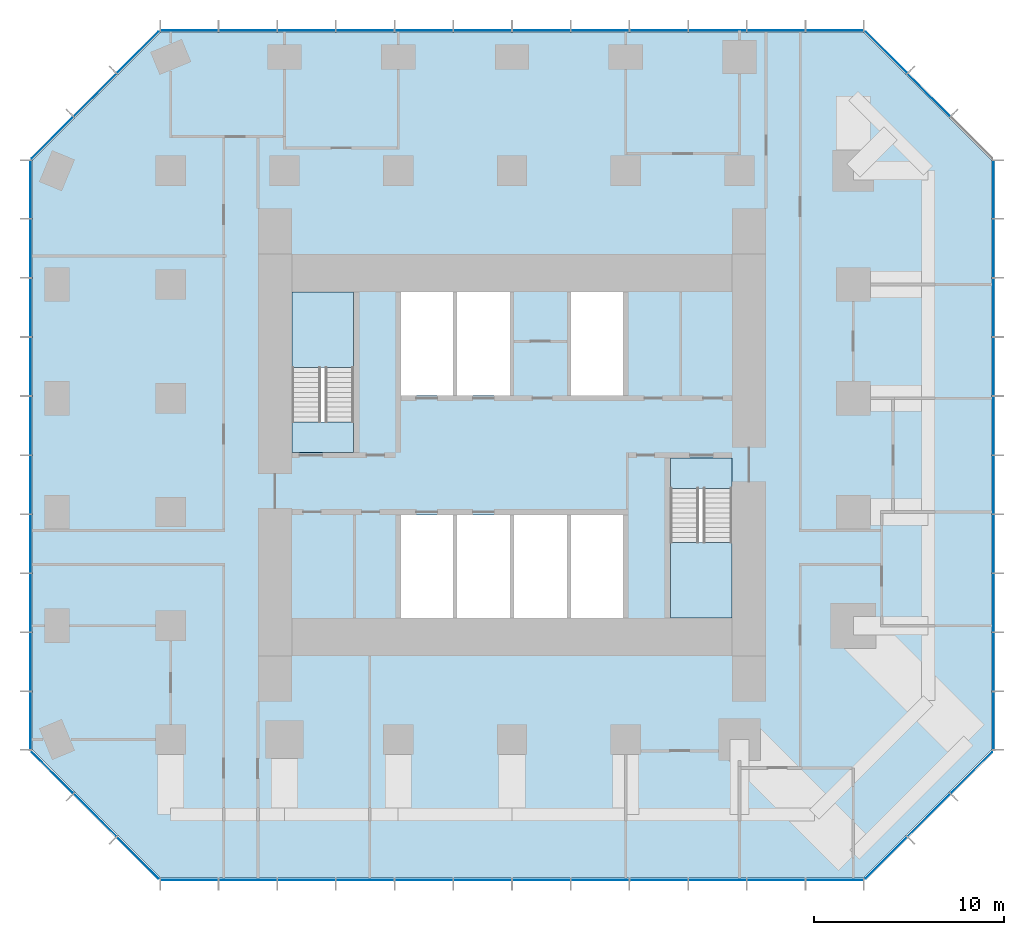
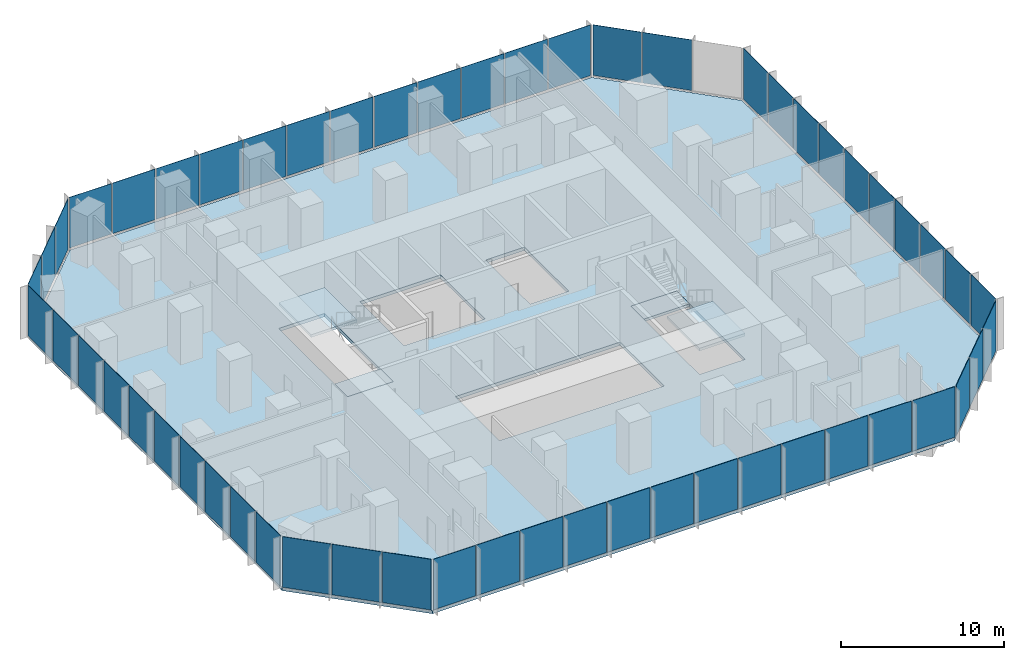
# One storey, part 7 of 11: 55 plates, 5 slabs, 10 elements without a shape of their own.
"""IFC4 building model written with IfcOpenShell, lengths in metres."""

from ifc_helpers import new_model, si_unit, direction, frame, origin, origin_2d, place, context, subcontext, project, spatial, polyline, rectangle, outline, extrude, material, layer, layer_set, type_object, element, aggregate, save


model = new_model("IFC4")

# Units and contexts
model_context = context("Model", 3, precision=1e-05, world=origin(), true_north=direction((0.0, 1.0)))
body_context = subcontext(model_context, "Body", "Model", "MODEL_VIEW")
ifc_project = project(units=[si_unit("LENGTHUNIT", "METRE"), si_unit("AREAUNIT", "SQUARE_METRE"), si_unit("VOLUMEUNIT", "CUBIC_METRE"), si_unit("PLANEANGLEUNIT", "RADIAN"), si_unit("MASSUNIT", "GRAM", prefix="KILO")], contexts=[model_context])

# Site, building, storey
site_placement = place(None, origin())
site = spatial("IfcSite", under=ifc_project, at=site_placement, CompositionType="ELEMENT")
building_placement = place(site_placement, origin())
building = spatial("IfcBuilding", under=site, at=building_placement, Name="Highveld Stack Headquarters", CompositionType="ELEMENT")
storey_placement = place(building_placement, frame((0.0, 0.0, 152.300048828125)))
storey = spatial("IfcBuildingStorey", under=building, at=storey_placement, Name="L37", CompositionType="ELEMENT", Elevation=152.300048828125)

# Curtain wall, plates
ifc_material_1 = material(Name="Aluminium bronze anodised", Category="aluminium")
ifc_layer_1 = layer(ifc_material_1, 0.199951171875)
ifc_layer_set_1 = layer_set([ifc_layer_1], Name="Aluminium bronze anodised")
curtain_wall_type_1 = type_object("IfcCurtainWallType", Name="CW1 TOWER UNITISED CURTAIN WALL", PredefinedType="NOTDEFINED", material=ifc_layer_set_1)
curtain_wall_1_placement = place(storey_placement, origin())
curtain_wall_1 = element("IfcCurtainWall", 1, at=curtain_wall_1_placement, inside=storey, type_object=curtain_wall_type_1, Name="Curtain wall CW1 L37 S", PredefinedType="NOTDEFINED")
ifc_material_2 = material(Name="Glass bronze tinted double glazed unit", Category="glass")
ifc_layer_2 = layer(ifc_material_2, 0.028076171875)
ifc_layer_set_2 = layer_set([ifc_layer_2], Name="Glass bronze tinted double glazed unit")
plate_type_1 = type_object("IfcPlateType", Name="CW1 PANEL BRONZE TINTED DOUBLE GLAZED UNIT", PredefinedType="CURTAIN_PANEL", material=ifc_layer_set_2)
plate_1_placement = place(storey_placement, frame((-11.015380859375, -19.39990234375, 0.10009765625), z_axis=(0.0, 0.0, 1.0), x_axis=(1.0, 0.0, 0.0)))
plate_1 = element("IfcPlate", 2, at=plate_1_placement, type_object=plate_type_1, Name="CW1 panel L37 1.1", PredefinedType="CURTAIN_PANEL", context=body_context, shape_type="SweptSolid", body=[
    extrude(rectangle(XDim=2.9990234375, YDim=0.028076171875, at=origin_2d()), origin(), (0.0, 0.0, 1.0), 3.800048828125),
])
plate_2_placement = place(storey_placement, frame((-7.934814453125, -19.39990234375, 0.10009765625), z_axis=(0.0, 0.0, 1.0), x_axis=(1.0, 0.0, 0.0)))
plate_2 = element("IfcPlate", 3, at=plate_2_placement, type_object=plate_type_1, Name="CW1 panel L37 2.1", PredefinedType="CURTAIN_PANEL", context=body_context, shape_type="SweptSolid", body=[
    extrude(rectangle(XDim=3.031494140625, YDim=0.028076171875, at=origin_2d()), origin(), (0.0, 0.0, 1.0), 3.800048828125),
])
plate_3_placement = place(storey_placement, frame((-4.83837890625, -19.39990234375, 0.10009765625), z_axis=(0.0, 0.0, 1.0), x_axis=(1.0, 0.0, 0.0)))
plate_3 = element("IfcPlate", 4, at=plate_3_placement, type_object=plate_type_1, Name="CW1 panel L37 3.1", PredefinedType="CURTAIN_PANEL", context=body_context, shape_type="SweptSolid", body=[
    extrude(rectangle(XDim=3.031494140625, YDim=0.028076171875, at=origin_2d()), origin(), (0.0, 0.0, 1.0), 3.800048828125),
])
plate_4_placement = place(storey_placement, frame((-1.74169921875, -19.39990234375, 0.10009765625), z_axis=(0.0, 0.0, 1.0), x_axis=(1.0, 0.0, 0.0)))
plate_4 = element("IfcPlate", 5, at=plate_4_placement, type_object=plate_type_1, Name="CW1 panel L37 4.1", PredefinedType="CURTAIN_PANEL", context=body_context, shape_type="SweptSolid", body=[
    extrude(rectangle(XDim=3.031494140625, YDim=0.028076171875, at=origin_2d()), origin(), (0.0, 0.0, 1.0), 3.800048828125),
])
plate_5_placement = place(storey_placement, frame((1.35498046875, -19.39990234375, 0.10009765625), z_axis=(0.0, 0.0, 1.0), x_axis=(1.0, 0.0, 0.0)))
plate_5 = element("IfcPlate", 6, at=plate_5_placement, type_object=plate_type_1, Name="CW1 panel L37 5.1", PredefinedType="CURTAIN_PANEL", context=body_context, shape_type="SweptSolid", body=[
    extrude(rectangle(XDim=3.031494140625, YDim=0.028076171875, at=origin_2d()), origin(), (0.0, 0.0, 1.0), 3.800048828125),
])
plate_6_placement = place(storey_placement, frame((4.45166015625, -19.39990234375, 0.10009765625), z_axis=(0.0, 0.0, 1.0), x_axis=(1.0, 0.0, 0.0)))
plate_6 = element("IfcPlate", 7, at=plate_6_placement, type_object=plate_type_1, Name="CW1 panel L37 6.1", PredefinedType="CURTAIN_PANEL", context=body_context, shape_type="SweptSolid", body=[
    extrude(rectangle(XDim=3.031494140625, YDim=0.028076171875, at=origin_2d()), origin(), (0.0, 0.0, 1.0), 3.800048828125),
])
plate_7_placement = place(storey_placement, frame((7.54833984375, -19.39990234375, 0.10009765625), z_axis=(0.0, 0.0, 1.0), x_axis=(1.0, 0.0, 0.0)))
plate_7 = element("IfcPlate", 8, at=plate_7_placement, type_object=plate_type_1, Name="CW1 panel L37 7.1", PredefinedType="CURTAIN_PANEL", context=body_context, shape_type="SweptSolid", body=[
    extrude(rectangle(XDim=3.03173828125, YDim=0.028076171875, at=origin_2d()), origin(), (0.0, 0.0, 1.0), 3.800048828125),
])
plate_8_placement = place(storey_placement, frame((10.64501953125, -19.39990234375, 0.10009765625), z_axis=(0.0, 0.0, 1.0), x_axis=(1.0, 0.0, 0.0)))
plate_8 = element("IfcPlate", 9, at=plate_8_placement, type_object=plate_type_1, Name="CW1 panel L37 8.1", PredefinedType="CURTAIN_PANEL", context=body_context, shape_type="SweptSolid", body=[
    extrude(rectangle(XDim=3.03173828125, YDim=0.028076171875, at=origin_2d()), origin(), (0.0, 0.0, 1.0), 3.800048828125),
])
plate_9_placement = place(storey_placement, frame((13.74169921875, -19.39990234375, 0.10009765625), z_axis=(0.0, 0.0, 1.0), x_axis=(1.0, 0.0, 0.0)))
plate_9 = element("IfcPlate", 10, at=plate_9_placement, type_object=plate_type_1, Name="CW1 panel L37 9.1", PredefinedType="CURTAIN_PANEL", context=body_context, shape_type="SweptSolid", body=[
    extrude(rectangle(XDim=3.03173828125, YDim=0.028076171875, at=origin_2d()), origin(), (0.0, 0.0, 1.0), 3.800048828125),
])
plate_10_placement = place(storey_placement, frame((16.83837890625, -19.39990234375, 0.10009765625), z_axis=(0.0, 0.0, 1.0), x_axis=(1.0, 0.0, 0.0)))
plate_10 = element("IfcPlate", 11, at=plate_10_placement, type_object=plate_type_1, Name="CW1 panel L37 10.1", PredefinedType="CURTAIN_PANEL", context=body_context, shape_type="SweptSolid", body=[
    extrude(rectangle(XDim=3.03173828125, YDim=0.028076171875, at=origin_2d()), origin(), (0.0, 0.0, 1.0), 3.800048828125),
])
plate_11_placement = place(storey_placement, frame((19.934814453125, -19.39990234375, 0.10009765625), z_axis=(0.0, 0.0, 1.0), x_axis=(1.0, 0.0, 0.0)))
plate_11 = element("IfcPlate", 12, at=plate_11_placement, type_object=plate_type_1, Name="CW1 panel L37 11.1", PredefinedType="CURTAIN_PANEL", context=body_context, shape_type="SweptSolid", body=[
    extrude(rectangle(XDim=3.03173828125, YDim=0.028076171875, at=origin_2d()), origin(), (0.0, 0.0, 1.0), 3.800048828125),
])
plate_12_placement = place(storey_placement, frame((23.015380859375, -19.39990234375, 0.10009765625), z_axis=(0.0, 0.0, 1.0), x_axis=(1.0, 0.0, 0.0)))
plate_12 = element("IfcPlate", 13, at=plate_12_placement, type_object=plate_type_1, Name="CW1 panel L37 12.1", PredefinedType="CURTAIN_PANEL", context=body_context, shape_type="SweptSolid", body=[
    extrude(rectangle(XDim=2.999267578125, YDim=0.028076171875, at=origin_2d()), origin(), (0.0, 0.0, 1.0), 3.800048828125),
])
aggregate(curtain_wall_1, [plate_1, plate_2, plate_3, plate_4, plate_5, plate_6, plate_7, plate_8, plate_9, plate_10, plate_11, plate_12])

curtain_wall_2_placement = place(storey_placement, origin())
curtain_wall_2 = element("IfcCurtainWall", 14, at=curtain_wall_2_placement, inside=storey, type_object=curtain_wall_type_1, Name="Curtain wall CW1 L37 E", PredefinedType="NOTDEFINED")
plate_13_placement = place(storey_placement, frame((31.39990234375, -11.005615234375, 0.10009765625), z_axis=(0.0, 0.0, 1.0), x_axis=(0.0, 1.0, 0.0)))
plate_13 = element("IfcPlate", 15, at=plate_13_placement, type_object=plate_type_1, Name="CW1 panel L37 1.1", PredefinedType="CURTAIN_PANEL", context=body_context, shape_type="SweptSolid", body=[
    extrude(rectangle(XDim=3.0185546875, YDim=0.028076171875, at=origin_2d()), origin(), (0.0, 0.0, 1.0), 3.800048828125),
])
plate_14_placement = place(storey_placement, frame((31.39990234375, -7.906005859375, 0.10009765625), z_axis=(0.0, 0.0, 1.0), x_axis=(0.0, 1.0, 0.0)))
plate_14 = element("IfcPlate", 16, at=plate_14_placement, type_object=plate_type_1, Name="CW1 panel L37 2.1", PredefinedType="CURTAIN_PANEL", context=body_context, shape_type="SweptSolid", body=[
    extrude(rectangle(XDim=3.051025390625, YDim=0.028076171875, at=origin_2d()), origin(), (0.0, 0.0, 1.0), 3.800048828125),
])
plate_15_placement = place(storey_placement, frame((31.39990234375, -4.7900390625, 0.10009765625), z_axis=(0.0, 0.0, 1.0), x_axis=(0.0, 1.0, 0.0)))
plate_15 = element("IfcPlate", 17, at=plate_15_placement, type_object=plate_type_1, Name="CW1 panel L37 3.1", PredefinedType="CURTAIN_PANEL", context=body_context, shape_type="SweptSolid", body=[
    extrude(rectangle(XDim=3.051025390625, YDim=0.028076171875, at=origin_2d()), origin(), (0.0, 0.0, 1.0), 3.800048828125),
])
plate_16_placement = place(storey_placement, frame((31.39990234375, -1.674072265625, 0.10009765625), z_axis=(0.0, 0.0, 1.0), x_axis=(0.0, 1.0, 0.0)))
plate_16 = element("IfcPlate", 18, at=plate_16_placement, type_object=plate_type_1, Name="CW1 panel L37 4.1", PredefinedType="CURTAIN_PANEL", context=body_context, shape_type="SweptSolid", body=[
    extrude(rectangle(XDim=3.051025390625, YDim=0.028076171875, at=origin_2d()), origin(), (0.0, 0.0, 1.0), 3.800048828125),
])
plate_17_placement = place(storey_placement, frame((31.39990234375, 1.44189453125, 0.10009765625), z_axis=(0.0, 0.0, 1.0), x_axis=(0.0, 1.0, 0.0)))
plate_17 = element("IfcPlate", 19, at=plate_17_placement, type_object=plate_type_1, Name="CW1 panel L37 5.1", PredefinedType="CURTAIN_PANEL", context=body_context, shape_type="SweptSolid", body=[
    extrude(rectangle(XDim=3.051025390625, YDim=0.028076171875, at=origin_2d()), origin(), (0.0, 0.0, 1.0), 3.800048828125),
])
plate_18_placement = place(storey_placement, frame((31.39990234375, 4.55810546875, 0.10009765625), z_axis=(0.0, 0.0, 1.0), x_axis=(0.0, 1.0, 0.0)))
plate_18 = element("IfcPlate", 20, at=plate_18_placement, type_object=plate_type_1, Name="CW1 panel L37 6.1", PredefinedType="CURTAIN_PANEL", context=body_context, shape_type="SweptSolid", body=[
    extrude(rectangle(XDim=3.051025390625, YDim=0.028076171875, at=origin_2d()), origin(), (0.0, 0.0, 1.0), 3.800048828125),
])
plate_19_placement = place(storey_placement, frame((31.39990234375, 7.674072265625, 0.10009765625), z_axis=(0.0, 0.0, 1.0), x_axis=(0.0, 1.0, 0.0)))
plate_19 = element("IfcPlate", 21, at=plate_19_placement, type_object=plate_type_1, Name="CW1 panel L37 7.1", PredefinedType="CURTAIN_PANEL", context=body_context, shape_type="SweptSolid", body=[
    extrude(rectangle(XDim=3.051025390625, YDim=0.028076171875, at=origin_2d()), origin(), (0.0, 0.0, 1.0), 3.800048828125),
])
plate_20_placement = place(storey_placement, frame((31.39990234375, 10.789794921875, 0.10009765625), z_axis=(0.0, 0.0, 1.0), x_axis=(0.0, 1.0, 0.0)))
plate_20 = element("IfcPlate", 22, at=plate_20_placement, type_object=plate_type_1, Name="CW1 panel L37 8.1", PredefinedType="CURTAIN_PANEL", context=body_context, shape_type="SweptSolid", body=[
    extrude(rectangle(XDim=3.051025390625, YDim=0.028076171875, at=origin_2d()), origin(), (0.0, 0.0, 1.0), 3.800048828125),
])
plate_21_placement = place(storey_placement, frame((31.39990234375, 13.906005859375, 0.10009765625), z_axis=(0.0, 0.0, 1.0), x_axis=(0.0, 1.0, 0.0)))
plate_21 = element("IfcPlate", 23, at=plate_21_placement, type_object=plate_type_1, Name="CW1 panel L37 9.1", PredefinedType="CURTAIN_PANEL", context=body_context, shape_type="SweptSolid", body=[
    extrude(rectangle(XDim=3.051025390625, YDim=0.028076171875, at=origin_2d()), origin(), (0.0, 0.0, 1.0), 3.800048828125),
])
plate_22_placement = place(storey_placement, frame((31.39990234375, 17.005615234375, 0.10009765625), z_axis=(0.0, 0.0, 1.0), x_axis=(0.0, 1.0, 0.0)))
plate_22 = element("IfcPlate", 24, at=plate_22_placement, type_object=plate_type_1, Name="CW1 panel L37 10.1", PredefinedType="CURTAIN_PANEL", context=body_context, shape_type="SweptSolid", body=[
    extrude(rectangle(XDim=3.0185546875, YDim=0.028076171875, at=origin_2d()), origin(), (0.0, 0.0, 1.0), 3.800048828125),
])
aggregate(curtain_wall_2, [plate_13, plate_14, plate_15, plate_16, plate_17, plate_18, plate_19, plate_20, plate_21, plate_22])

curtain_wall_3_placement = place(storey_placement, origin())
curtain_wall_3 = element("IfcCurtainWall", 25, at=curtain_wall_3_placement, inside=storey, type_object=curtain_wall_type_1, Name="Curtain wall CW1 L37 N", PredefinedType="NOTDEFINED")
plate_23_placement = place(storey_placement, frame((23.015380859375, 25.39990234375, 0.10009765625), z_axis=(0.0, 0.0, 1.0), x_axis=(-1.0, 0.0, 0.0)))
plate_23 = element("IfcPlate", 26, at=plate_23_placement, type_object=plate_type_1, Name="CW1 panel L37 1.1", PredefinedType="CURTAIN_PANEL", context=body_context, shape_type="SweptSolid", body=[
    extrude(rectangle(XDim=2.9990234375, YDim=0.028076171875, at=origin_2d()), origin(), (0.0, 0.0, 1.0), 3.800048828125),
])
plate_24_placement = place(storey_placement, frame((19.934814453125, 25.39990234375, 0.10009765625), z_axis=(0.0, 0.0, 1.0), x_axis=(-1.0, 0.0, 0.0)))
plate_24 = element("IfcPlate", 27, at=plate_24_placement, type_object=plate_type_1, Name="CW1 panel L37 2.1", PredefinedType="CURTAIN_PANEL", context=body_context, shape_type="SweptSolid", body=[
    extrude(rectangle(XDim=3.031494140625, YDim=0.028076171875, at=origin_2d()), origin(), (0.0, 0.0, 1.0), 3.800048828125),
])
plate_25_placement = place(storey_placement, frame((16.83837890625, 25.39990234375, 0.10009765625), z_axis=(0.0, 0.0, 1.0), x_axis=(-1.0, 0.0, 0.0)))
plate_25 = element("IfcPlate", 28, at=plate_25_placement, type_object=plate_type_1, Name="CW1 panel L37 3.1", PredefinedType="CURTAIN_PANEL", context=body_context, shape_type="SweptSolid", body=[
    extrude(rectangle(XDim=3.031494140625, YDim=0.028076171875, at=origin_2d()), origin(), (0.0, 0.0, 1.0), 3.800048828125),
])
plate_26_placement = place(storey_placement, frame((13.74169921875, 25.39990234375, 0.10009765625), z_axis=(0.0, 0.0, 1.0), x_axis=(-1.0, 0.0, 0.0)))
plate_26 = element("IfcPlate", 29, at=plate_26_placement, type_object=plate_type_1, Name="CW1 panel L37 4.1", PredefinedType="CURTAIN_PANEL", context=body_context, shape_type="SweptSolid", body=[
    extrude(rectangle(XDim=3.031494140625, YDim=0.028076171875, at=origin_2d()), origin(), (0.0, 0.0, 1.0), 3.800048828125),
])
plate_27_placement = place(storey_placement, frame((10.64501953125, 25.39990234375, 0.10009765625), z_axis=(0.0, 0.0, 1.0), x_axis=(-1.0, 0.0, 0.0)))
plate_27 = element("IfcPlate", 30, at=plate_27_placement, type_object=plate_type_1, Name="CW1 panel L37 5.1", PredefinedType="CURTAIN_PANEL", context=body_context, shape_type="SweptSolid", body=[
    extrude(rectangle(XDim=3.031494140625, YDim=0.028076171875, at=origin_2d()), origin(), (0.0, 0.0, 1.0), 3.800048828125),
])
plate_28_placement = place(storey_placement, frame((7.54833984375, 25.39990234375, 0.10009765625), z_axis=(0.0, 0.0, 1.0), x_axis=(-1.0, 0.0, 0.0)))
plate_28 = element("IfcPlate", 31, at=plate_28_placement, type_object=plate_type_1, Name="CW1 panel L37 6.1", PredefinedType="CURTAIN_PANEL", context=body_context, shape_type="SweptSolid", body=[
    extrude(rectangle(XDim=3.031494140625, YDim=0.028076171875, at=origin_2d()), origin(), (0.0, 0.0, 1.0), 3.800048828125),
])
plate_29_placement = place(storey_placement, frame((4.45166015625, 25.39990234375, 0.10009765625), z_axis=(0.0, 0.0, 1.0), x_axis=(-1.0, 0.0, 0.0)))
plate_29 = element("IfcPlate", 32, at=plate_29_placement, type_object=plate_type_1, Name="CW1 panel L37 7.1", PredefinedType="CURTAIN_PANEL", context=body_context, shape_type="SweptSolid", body=[
    extrude(rectangle(XDim=3.03173828125, YDim=0.028076171875, at=origin_2d()), origin(), (0.0, 0.0, 1.0), 3.800048828125),
])
plate_30_placement = place(storey_placement, frame((1.35498046875, 25.39990234375, 0.10009765625), z_axis=(0.0, 0.0, 1.0), x_axis=(-1.0, 0.0, 0.0)))
plate_30 = element("IfcPlate", 33, at=plate_30_placement, type_object=plate_type_1, Name="CW1 panel L37 8.1", PredefinedType="CURTAIN_PANEL", context=body_context, shape_type="SweptSolid", body=[
    extrude(rectangle(XDim=3.03173828125, YDim=0.028076171875, at=origin_2d()), origin(), (0.0, 0.0, 1.0), 3.800048828125),
])
plate_31_placement = place(storey_placement, frame((-1.74169921875, 25.39990234375, 0.10009765625), z_axis=(0.0, 0.0, 1.0), x_axis=(-1.0, 0.0, 0.0)))
plate_31 = element("IfcPlate", 34, at=plate_31_placement, type_object=plate_type_1, Name="CW1 panel L37 9.1", PredefinedType="CURTAIN_PANEL", context=body_context, shape_type="SweptSolid", body=[
    extrude(rectangle(XDim=3.03173828125, YDim=0.028076171875, at=origin_2d()), origin(), (0.0, 0.0, 1.0), 3.800048828125),
])
plate_32_placement = place(storey_placement, frame((-4.83837890625, 25.39990234375, 0.10009765625), z_axis=(0.0, 0.0, 1.0), x_axis=(-1.0, 0.0, 0.0)))
plate_32 = element("IfcPlate", 35, at=plate_32_placement, type_object=plate_type_1, Name="CW1 panel L37 10.1", PredefinedType="CURTAIN_PANEL", context=body_context, shape_type="SweptSolid", body=[
    extrude(rectangle(XDim=3.03173828125, YDim=0.028076171875, at=origin_2d()), origin(), (0.0, 0.0, 1.0), 3.800048828125),
])
plate_33_placement = place(storey_placement, frame((-7.934814453125, 25.39990234375, 0.10009765625), z_axis=(0.0, 0.0, 1.0), x_axis=(-1.0, 0.0, 0.0)))
plate_33 = element("IfcPlate", 36, at=plate_33_placement, type_object=plate_type_1, Name="CW1 panel L37 11.1", PredefinedType="CURTAIN_PANEL", context=body_context, shape_type="SweptSolid", body=[
    extrude(rectangle(XDim=3.03173828125, YDim=0.028076171875, at=origin_2d()), origin(), (0.0, 0.0, 1.0), 3.800048828125),
])
plate_34_placement = place(storey_placement, frame((-11.015380859375, 25.39990234375, 0.10009765625), z_axis=(0.0, 0.0, 1.0), x_axis=(-1.0, 0.0, 0.0)))
plate_34 = element("IfcPlate", 37, at=plate_34_placement, type_object=plate_type_1, Name="CW1 panel L37 12.1", PredefinedType="CURTAIN_PANEL", context=body_context, shape_type="SweptSolid", body=[
    extrude(rectangle(XDim=2.999267578125, YDim=0.028076171875, at=origin_2d()), origin(), (0.0, 0.0, 1.0), 3.800048828125),
])
aggregate(curtain_wall_3, [plate_23, plate_24, plate_25, plate_26, plate_27, plate_28, plate_29, plate_30, plate_31, plate_32, plate_33, plate_34])

curtain_wall_4_placement = place(storey_placement, origin())
curtain_wall_4 = element("IfcCurtainWall", 38, at=curtain_wall_4_placement, inside=storey, type_object=curtain_wall_type_1, Name="Curtain wall CW1 L37 W", PredefinedType="NOTDEFINED")
plate_35_placement = place(storey_placement, frame((-19.39990234375, 17.005615234375, 0.10009765625), z_axis=(0.0, 0.0, 1.0), x_axis=(0.0, -1.0, 0.0)))
plate_35 = element("IfcPlate", 39, at=plate_35_placement, type_object=plate_type_1, Name="CW1 panel L37 1.1", PredefinedType="CURTAIN_PANEL", context=body_context, shape_type="SweptSolid", body=[
    extrude(rectangle(XDim=3.0185546875, YDim=0.028076171875, at=origin_2d()), origin(), (0.0, 0.0, 1.0), 3.800048828125),
])
plate_36_placement = place(storey_placement, frame((-19.39990234375, 13.906005859375, 0.10009765625), z_axis=(0.0, 0.0, 1.0), x_axis=(0.0, -1.0, 0.0)))
plate_36 = element("IfcPlate", 40, at=plate_36_placement, type_object=plate_type_1, Name="CW1 panel L37 2.1", PredefinedType="CURTAIN_PANEL", context=body_context, shape_type="SweptSolid", body=[
    extrude(rectangle(XDim=3.051025390625, YDim=0.028076171875, at=origin_2d()), origin(), (0.0, 0.0, 1.0), 3.800048828125),
])
plate_37_placement = place(storey_placement, frame((-19.39990234375, 10.7900390625, 0.10009765625), z_axis=(0.0, 0.0, 1.0), x_axis=(0.0, -1.0, 0.0)))
plate_37 = element("IfcPlate", 41, at=plate_37_placement, type_object=plate_type_1, Name="CW1 panel L37 3.1", PredefinedType="CURTAIN_PANEL", context=body_context, shape_type="SweptSolid", body=[
    extrude(rectangle(XDim=3.051025390625, YDim=0.028076171875, at=origin_2d()), origin(), (0.0, 0.0, 1.0), 3.800048828125),
])
plate_38_placement = place(storey_placement, frame((-19.39990234375, 7.674072265625, 0.10009765625), z_axis=(0.0, 0.0, 1.0), x_axis=(0.0, -1.0, 0.0)))
plate_38 = element("IfcPlate", 42, at=plate_38_placement, type_object=plate_type_1, Name="CW1 panel L37 4.1", PredefinedType="CURTAIN_PANEL", context=body_context, shape_type="SweptSolid", body=[
    extrude(rectangle(XDim=3.051025390625, YDim=0.028076171875, at=origin_2d()), origin(), (0.0, 0.0, 1.0), 3.800048828125),
])
plate_39_placement = place(storey_placement, frame((-19.39990234375, 4.55810546875, 0.10009765625), z_axis=(0.0, 0.0, 1.0), x_axis=(0.0, -1.0, 0.0)))
plate_39 = element("IfcPlate", 43, at=plate_39_placement, type_object=plate_type_1, Name="CW1 panel L37 5.1", PredefinedType="CURTAIN_PANEL", context=body_context, shape_type="SweptSolid", body=[
    extrude(rectangle(XDim=3.051025390625, YDim=0.028076171875, at=origin_2d()), origin(), (0.0, 0.0, 1.0), 3.800048828125),
])
plate_40_placement = place(storey_placement, frame((-19.39990234375, 1.44189453125, 0.10009765625), z_axis=(0.0, 0.0, 1.0), x_axis=(0.0, -1.0, 0.0)))
plate_40 = element("IfcPlate", 44, at=plate_40_placement, type_object=plate_type_1, Name="CW1 panel L37 6.1", PredefinedType="CURTAIN_PANEL", context=body_context, shape_type="SweptSolid", body=[
    extrude(rectangle(XDim=3.051025390625, YDim=0.028076171875, at=origin_2d()), origin(), (0.0, 0.0, 1.0), 3.800048828125),
])
plate_41_placement = place(storey_placement, frame((-19.39990234375, -1.674072265625, 0.10009765625), z_axis=(0.0, 0.0, 1.0), x_axis=(0.0, -1.0, 0.0)))
plate_41 = element("IfcPlate", 45, at=plate_41_placement, type_object=plate_type_1, Name="CW1 panel L37 7.1", PredefinedType="CURTAIN_PANEL", context=body_context, shape_type="SweptSolid", body=[
    extrude(rectangle(XDim=3.051025390625, YDim=0.028076171875, at=origin_2d()), origin(), (0.0, 0.0, 1.0), 3.800048828125),
])
plate_42_placement = place(storey_placement, frame((-19.39990234375, -4.789794921875, 0.10009765625), z_axis=(0.0, 0.0, 1.0), x_axis=(0.0, -1.0, 0.0)))
plate_42 = element("IfcPlate", 46, at=plate_42_placement, type_object=plate_type_1, Name="CW1 panel L37 8.1", PredefinedType="CURTAIN_PANEL", context=body_context, shape_type="SweptSolid", body=[
    extrude(rectangle(XDim=3.051025390625, YDim=0.028076171875, at=origin_2d()), origin(), (0.0, 0.0, 1.0), 3.800048828125),
])
plate_43_placement = place(storey_placement, frame((-19.39990234375, -7.906005859375, 0.10009765625), z_axis=(0.0, 0.0, 1.0), x_axis=(0.0, -1.0, 0.0)))
plate_43 = element("IfcPlate", 47, at=plate_43_placement, type_object=plate_type_1, Name="CW1 panel L37 9.1", PredefinedType="CURTAIN_PANEL", context=body_context, shape_type="SweptSolid", body=[
    extrude(rectangle(XDim=3.051025390625, YDim=0.028076171875, at=origin_2d()), origin(), (0.0, 0.0, 1.0), 3.800048828125),
])
plate_44_placement = place(storey_placement, frame((-19.39990234375, -11.005615234375, 0.10009765625), z_axis=(0.0, 0.0, 1.0), x_axis=(0.0, -1.0, 0.0)))
plate_44 = element("IfcPlate", 48, at=plate_44_placement, type_object=plate_type_1, Name="CW1 panel L37 10.1", PredefinedType="CURTAIN_PANEL", context=body_context, shape_type="SweptSolid", body=[
    extrude(rectangle(XDim=3.0185546875, YDim=0.028076171875, at=origin_2d()), origin(), (0.0, 0.0, 1.0), 3.800048828125),
])
aggregate(curtain_wall_4, [plate_35, plate_36, plate_37, plate_38, plate_39, plate_40, plate_41, plate_42, plate_43, plate_44])

ifc_material_3 = material(Name="Aluminium bronze anodised", Category="aluminium")
ifc_layer_3 = layer(ifc_material_3, 0.199951171875)
ifc_layer_set_3 = layer_set([ifc_layer_3], Name="Aluminium bronze anodised")
curtain_wall_type_2 = type_object("IfcCurtainWallType", Name="CW2 TOWER CHAMFER UNITISED CURTAIN WALL", PredefinedType="NOTDEFINED", material=ifc_layer_set_3)
curtain_wall_5_placement = place(storey_placement, origin())
curtain_wall_5 = element("IfcCurtainWall", 49, at=curtain_wall_5_placement, inside=storey, type_object=curtain_wall_type_2, Name="Curtain wall CW2 L37 SE", PredefinedType="NOTDEFINED")
ifc_material_4 = material(Name="Glass bronze tinted double glazed unit", Category="glass")
ifc_layer_4 = layer(ifc_material_4, 0.028076171875)
ifc_layer_set_4 = layer_set([ifc_layer_4], Name="Glass bronze tinted double glazed unit")
plate_type_2 = type_object("IfcPlateType", Name="CW2 PANEL BRONZE TINTED DOUBLE GLAZED UNIT", PredefinedType="CURTAIN_PANEL", material=ifc_layer_set_4)
plate_45_placement = place(storey_placement, frame((25.740478515625, -18.239501953125, 0.10009765625), z_axis=(0.0, 0.0, 1.0), x_axis=(0.707106781187, 0.707106781187, 0.0)))
plate_45 = element("IfcPlate", 50, at=plate_45_placement, type_object=plate_type_2, Name="CW2 panel L37 1.1", PredefinedType="CURTAIN_PANEL", context=body_context, shape_type="SweptSolid", body=[
    extrude(rectangle(XDim=3.08251953125, YDim=0.028076171875, at=origin_2d()), origin(), (0.0, 0.0, 1.0), 3.800048828125),
])
plate_46_placement = place(storey_placement, frame((27.989990234375, -15.989990234375, 0.10009765625), z_axis=(0.0, 0.0, 1.0), x_axis=(0.707106781187, 0.707106781187, 0.0)))
plate_46 = element("IfcPlate", 51, at=plate_46_placement, type_object=plate_type_2, Name="CW2 panel L37 2.1", PredefinedType="CURTAIN_PANEL", context=body_context, shape_type="SweptSolid", body=[
    extrude(rectangle(XDim=3.14990234375, YDim=0.028076171875, at=origin_2d()), origin(), (0.0, 0.0, 1.0), 3.800048828125),
])
plate_47_placement = place(storey_placement, frame((30.239501953125, -13.740478515625, 0.10009765625), z_axis=(0.0, 0.0, 1.0), x_axis=(0.707106781187, 0.707106781187, 0.0)))
plate_47 = element("IfcPlate", 52, at=plate_47_placement, type_object=plate_type_2, Name="CW2 panel L37 3.1", PredefinedType="CURTAIN_PANEL", context=body_context, shape_type="SweptSolid", body=[
    extrude(rectangle(XDim=3.08251953125, YDim=0.028076171875, at=origin_2d()), origin(), (0.0, 0.0, 1.0), 3.800048828125),
])
aggregate(curtain_wall_5, [plate_45, plate_46, plate_47])

curtain_wall_6_placement = place(storey_placement, origin())
curtain_wall_6 = element("IfcCurtainWall", 53, at=curtain_wall_6_placement, inside=storey, type_object=curtain_wall_type_2, Name="Curtain wall CW2 L37 NE", PredefinedType="NOTDEFINED")
plate_48_placement = place(storey_placement, frame((27.989990234375, 21.989990234375, 0.10009765625), z_axis=(0.0, 0.0, 1.0), x_axis=(-0.707106781187, 0.707106781187, 0.0)))
plate_48 = element("IfcPlate", 54, at=plate_48_placement, type_object=plate_type_2, Name="CW2 panel L37 2.1", PredefinedType="CURTAIN_PANEL", context=body_context, shape_type="SweptSolid", body=[
    extrude(rectangle(XDim=3.14990234375, YDim=0.028076171875, at=origin_2d()), origin(), (0.0, 0.0, 1.0), 3.800048828125),
])
plate_49_placement = place(storey_placement, frame((25.740478515625, 24.239501953125, 0.10009765625), z_axis=(0.0, 0.0, 1.0), x_axis=(-0.707106781187, 0.707106781187, 0.0)))
plate_49 = element("IfcPlate", 55, at=plate_49_placement, type_object=plate_type_2, Name="CW2 panel L37 3.1", PredefinedType="CURTAIN_PANEL", context=body_context, shape_type="SweptSolid", body=[
    extrude(rectangle(XDim=3.08251953125, YDim=0.028076171875, at=origin_2d()), origin(), (0.0, 0.0, 1.0), 3.800048828125),
])
aggregate(curtain_wall_6, [plate_48, plate_49])

curtain_wall_7_placement = place(storey_placement, origin())
curtain_wall_7 = element("IfcCurtainWall", 56, at=curtain_wall_7_placement, inside=storey, type_object=curtain_wall_type_2, Name="Curtain wall CW2 L37 NW", PredefinedType="NOTDEFINED")
plate_50_placement = place(storey_placement, frame((-13.740478515625, 24.239501953125, 0.10009765625), z_axis=(0.0, 0.0, 1.0), x_axis=(-0.707106781187, -0.707106781187, 0.0)))
plate_50 = element("IfcPlate", 57, at=plate_50_placement, type_object=plate_type_2, Name="CW2 panel L37 1.1", PredefinedType="CURTAIN_PANEL", context=body_context, shape_type="SweptSolid", body=[
    extrude(rectangle(XDim=3.08251953125, YDim=0.028076171875, at=origin_2d()), origin(), (0.0, 0.0, 1.0), 3.800048828125),
])
plate_51_placement = place(storey_placement, frame((-15.989990234375, 21.989990234375, 0.10009765625), z_axis=(0.0, 0.0, 1.0), x_axis=(-0.707106781187, -0.707106781187, 0.0)))
plate_51 = element("IfcPlate", 58, at=plate_51_placement, type_object=plate_type_2, Name="CW2 panel L37 2.1", PredefinedType="CURTAIN_PANEL", context=body_context, shape_type="SweptSolid", body=[
    extrude(rectangle(XDim=3.14990234375, YDim=0.028076171875, at=origin_2d()), origin(), (0.0, 0.0, 1.0), 3.800048828125),
])
plate_52_placement = place(storey_placement, frame((-18.239501953125, 19.740478515625, 0.10009765625), z_axis=(0.0, 0.0, 1.0), x_axis=(-0.707106781187, -0.707106781187, 0.0)))
plate_52 = element("IfcPlate", 59, at=plate_52_placement, type_object=plate_type_2, Name="CW2 panel L37 3.1", PredefinedType="CURTAIN_PANEL", context=body_context, shape_type="SweptSolid", body=[
    extrude(rectangle(XDim=3.08251953125, YDim=0.028076171875, at=origin_2d()), origin(), (0.0, 0.0, 1.0), 3.800048828125),
])
aggregate(curtain_wall_7, [plate_50, plate_51, plate_52])

curtain_wall_8_placement = place(storey_placement, origin())
curtain_wall_8 = element("IfcCurtainWall", 60, at=curtain_wall_8_placement, inside=storey, type_object=curtain_wall_type_2, Name="Curtain wall CW2 L37 SW", PredefinedType="NOTDEFINED")
plate_53_placement = place(storey_placement, frame((-18.239501953125, -13.740478515625, 0.10009765625), z_axis=(0.0, 0.0, 1.0), x_axis=(0.707106781187, -0.707106781187, 0.0)))
plate_53 = element("IfcPlate", 61, at=plate_53_placement, type_object=plate_type_2, Name="CW2 panel L37 1.1", PredefinedType="CURTAIN_PANEL", context=body_context, shape_type="SweptSolid", body=[
    extrude(rectangle(XDim=3.08251953125, YDim=0.028076171875, at=origin_2d()), origin(), (0.0, 0.0, 1.0), 3.800048828125),
])
plate_54_placement = place(storey_placement, frame((-15.989990234375, -15.989990234375, 0.10009765625), z_axis=(0.0, 0.0, 1.0), x_axis=(0.707106781187, -0.707106781187, 0.0)))
plate_54 = element("IfcPlate", 62, at=plate_54_placement, type_object=plate_type_2, Name="CW2 panel L37 2.1", PredefinedType="CURTAIN_PANEL", context=body_context, shape_type="SweptSolid", body=[
    extrude(rectangle(XDim=3.14990234375, YDim=0.028076171875, at=origin_2d()), origin(), (0.0, 0.0, 1.0), 3.800048828125),
])
plate_55_placement = place(storey_placement, frame((-13.740478515625, -18.239501953125, 0.10009765625), z_axis=(0.0, 0.0, 1.0), x_axis=(0.707106781187, -0.707106781187, 0.0)))
plate_55 = element("IfcPlate", 63, at=plate_55_placement, type_object=plate_type_2, Name="CW2 panel L37 3.1", PredefinedType="CURTAIN_PANEL", context=body_context, shape_type="SweptSolid", body=[
    extrude(rectangle(XDim=3.08251953125, YDim=0.028076171875, at=origin_2d()), origin(), (0.0, 0.0, 1.0), 3.800048828125),
])
aggregate(curtain_wall_8, [plate_53, plate_54, plate_55])

# Slab
ifc_material_5 = material(Name="Concrete C60/75", Category="concrete")
ifc_layer_5 = layer(ifc_material_5, 0.25)
ifc_layer_set_5 = layer_set([ifc_layer_5], Name="Concrete C60/75")
slab_type_1 = type_object("IfcSlabType", Name="PT FLAT SLAB 250", PredefinedType="FLOOR", material=ifc_layer_set_5)
slab_1_placement = place(storey_placement, frame((0.0, 0.0, -0.25)))
element("IfcSlab", 64, at=slab_1_placement, inside=storey, type_object=slab_type_1, Name="Floor slab L37", PredefinedType="FLOOR", context=body_context, shape_type="SweptSolid", body=[
    extrude(outline(polyline([(-12.53857421875, -19.300048828125), (24.53857421875, -19.300048828125), (31.300048828125, -12.53857421875), (31.300048828125, 18.53857421875), (24.53857421875, 25.300048828125), (-12.53857421875, 25.300048828125), (-19.300048828125, 18.53857421875), (-19.300048828125, -12.53857421875), (-12.53857421875, -19.300048828125)]), holes=[polyline([(0.14990234375, 6.14990234375), (5.89990234375, 6.14990234375), (5.89990234375, 11.60009765625), (0.14990234375, 11.60009765625), (0.14990234375, 6.14990234375)]), polyline([(9.10009765625, 6.14990234375), (11.85009765625, 6.14990234375), (11.85009765625, 11.60009765625), (9.10009765625, 11.60009765625), (9.10009765625, 6.14990234375)]), polyline([(0.14990234375, -5.60009765625), (11.85009765625, -5.60009765625), (11.85009765625, -0.14990234375), (0.14990234375, -0.14990234375), (0.14990234375, -5.60009765625)]), polyline([(-5.60009765625, 3.14990234375), (-2.35009765625, 3.14990234375), (-2.35009765625, 11.60009765625), (-5.60009765625, 11.60009765625), (-5.60009765625, 3.14990234375)]), polyline([(14.35009765625, -5.60009765625), (17.60009765625, -5.60009765625), (17.60009765625, 2.85009765625), (14.35009765625, 2.85009765625), (14.35009765625, -5.60009765625)])]), origin(), (0.0, 0.0, 1.0), 0.25),
])

# Stair, slabs
ifc_material_6 = material(Name="Concrete C40/50, precast", Category="concrete")
stair_type_1 = type_object("IfcStairType", Name="STAIR S1 HALF TURN 1500", PredefinedType="HALF_TURN_STAIR", material=ifc_material_6)
stair_1_placement = place(storey_placement, origin())
stair_1 = element("IfcStair", 65, at=stair_1_placement, inside=storey, type_object=stair_type_1, Name="Stair S1 L37", PredefinedType="HALF_TURN_STAIR")
ifc_material_7 = material(Name="Concrete C40/50, precast", Category="concrete")
ifc_layer_6 = layer(ifc_material_7, 0.199951171875)
ifc_layer_set_6 = layer_set([ifc_layer_6], Name="Concrete C40/50, precast")
slab_type_2 = type_object("IfcSlabType", Name="STAIR LANDING 200", PredefinedType="LANDING", material=ifc_layer_set_6)
slab_2_placement = place(storey_placement, frame((0.0, 0.0, 1.75)))
slab_2 = element("IfcSlab", 66, at=slab_2_placement, type_object=slab_type_2, Name="S1 landing 1", PredefinedType="LANDING", context=body_context, shape_type="SweptSolid", body=[
    extrude(outline(polyline([(-5.60009765625, 7.610107421875), (-2.35009765625, 7.610107421875), (-2.35009765625, 11.60009765625), (-5.60009765625, 11.60009765625), (-5.60009765625, 7.610107421875)])), origin(), (0.0, 0.0, 1.0), 0.199951171875),
])
slab_3_placement = place(storey_placement, frame((0.0, 0.0, -0.199951171875)))
slab_3 = element("IfcSlab", 67, at=slab_3_placement, type_object=slab_type_2, Name="S1 landing 2", PredefinedType="LANDING", context=body_context, shape_type="SweptSolid", body=[
    extrude(outline(polyline([(-5.60009765625, 3.14990234375), (-2.35009765625, 3.14990234375), (-2.35009765625, 4.75), (-5.60009765625, 4.75), (-5.60009765625, 3.14990234375)])), origin(), (0.0, 0.0, 1.0), 0.199951171875),
])
aggregate(stair_1, [slab_2, slab_3])

ifc_material_8 = material(Name="Concrete C40/50, precast", Category="concrete")
stair_type_2 = type_object("IfcStairType", Name="STAIR S2 HALF TURN 1500", PredefinedType="HALF_TURN_STAIR", material=ifc_material_8)
stair_2_placement = place(storey_placement, origin())
stair_2 = element("IfcStair", 68, at=stair_2_placement, inside=storey, type_object=stair_type_2, Name="Stair S2 L37", PredefinedType="HALF_TURN_STAIR")
slab_4_placement = place(storey_placement, frame((0.0, 0.0, 1.75)))
slab_4 = element("IfcSlab", 69, at=slab_4_placement, type_object=slab_type_2, Name="S2 landing 1", PredefinedType="LANDING", context=body_context, shape_type="SweptSolid", body=[
    extrude(outline(polyline([(14.35009765625, -5.60009765625), (17.60009765625, -5.60009765625), (17.60009765625, -1.610107421875), (14.35009765625, -1.610107421875), (14.35009765625, -5.60009765625)])), origin(), (0.0, 0.0, 1.0), 0.199951171875),
])
slab_5_placement = place(storey_placement, frame((0.0, 0.0, -0.199951171875)))
slab_5 = element("IfcSlab", 70, at=slab_5_placement, type_object=slab_type_2, Name="S2 landing 2", PredefinedType="LANDING", context=body_context, shape_type="SweptSolid", body=[
    extrude(outline(polyline([(14.35009765625, 1.25), (17.60009765625, 1.25), (17.60009765625, 2.85009765625), (14.35009765625, 2.85009765625), (14.35009765625, 1.25)])), origin(), (0.0, 0.0, 1.0), 0.199951171875),
])
aggregate(stair_2, [slab_4, slab_5])

save(model, "model.ifc")
